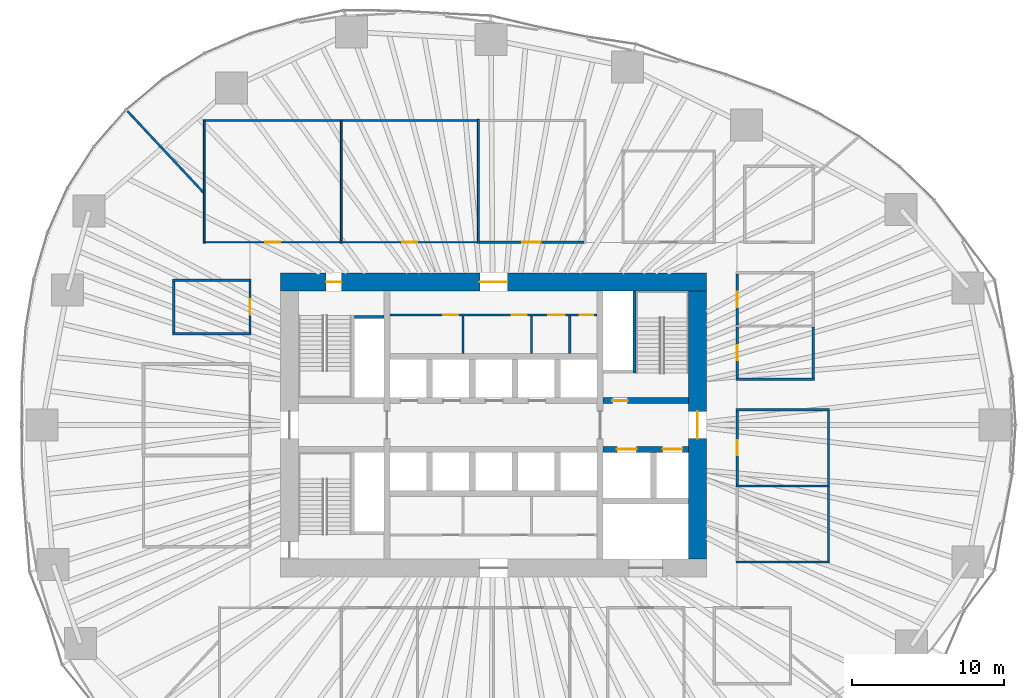
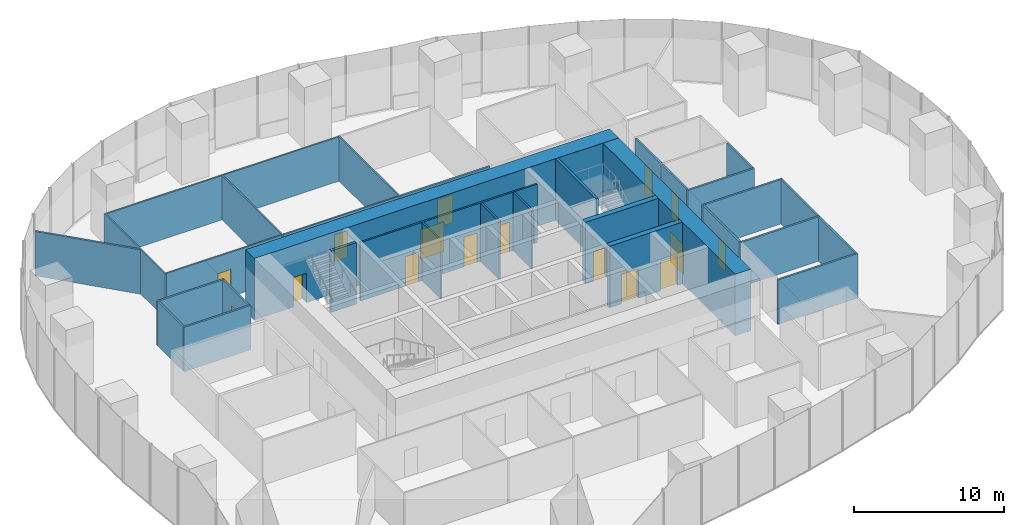
# One storey, part 11 of 20: 33 walls, 17 doors, 17 openings.
"""IFC4 building model written with IfcOpenShell, lengths in metres."""

from ifc_helpers import new_model, si_unit, direction, frame, frame_2d, origin, place, context, subcontext, project, spatial, rectangle, extrude, material, layer, layer_set, type_object, element, fill, save


model = new_model("IFC4")

# Units and contexts
model_context = context("Model", 3, precision=1e-05, world=origin(), true_north=direction((0.0, 1.0)))
body_context = subcontext(model_context, "Body", "Model", "MODEL_VIEW")
ifc_project = project(units=[si_unit("LENGTHUNIT", "METRE"), si_unit("AREAUNIT", "SQUARE_METRE"), si_unit("VOLUMEUNIT", "CUBIC_METRE"), si_unit("PLANEANGLEUNIT", "RADIAN"), si_unit("MASSUNIT", "GRAM", prefix="KILO")], contexts=[model_context])

# Site, building, storey
site_placement = place(None, origin())
site = spatial("IfcSite", under=ifc_project, at=site_placement, CompositionType="ELEMENT")
building_placement = place(site_placement, origin())
building = spatial("IfcBuilding", under=site, at=building_placement, Name="Ghaith Harvest Tower", CompositionType="ELEMENT")
storey_placement = place(building_placement, frame((0.0, 0.0, 25.0)))
storey = spatial("IfcBuildingStorey", under=building, at=storey_placement, Name="L05", CompositionType="ELEMENT", Elevation=25.0)

# Wall, openings, doors
ifc_material_1 = material(Name="Concrete blockwork, fair-faced", Category="masonry")
ifc_layer_1 = layer(ifc_material_1, 0.139892578125)
ifc_layer_set_1 = layer_set([ifc_layer_1], Name="CORE PARTITION 140")
wall_type_1 = type_object("IfcWallType", Name="CORE PARTITION 140", PredefinedType="PARTITIONING", material=ifc_layer_set_1)
wall_1_placement = place(storey_placement, frame((-6.800048828125, 7.22998046875, 0.0), z_axis=(0.0, 0.0, 1.0), x_axis=(1.0, 0.0, 0.0)))
wall_1 = element("IfcWall", 1, at=wall_1_placement, inside=storey, type_object=wall_type_1, Name="Core partition L05", PredefinedType="PARTITIONING", context=body_context, shape_type="SweptSolid", body=[
    extrude(rectangle(XDim=13.60009765625, YDim=0.139892578125, at=frame_2d((6.800048828125, 0.0))), origin(), (0.0, 0.0, 1.0), 4.75),
])
opening_1_placement = place(wall_1_placement, frame((3.47998046875, 0.0, 0.0)))
opening_1 = element("IfcOpeningElement", 2, at=opening_1_placement, cuts=wall_1, Name="Opening 05-008", PredefinedType="OPENING", context=body_context, shape_type="SweptSolid", body=[
    extrude(rectangle(XDim=1.0, YDim=2.39990234375, at=frame_2d((0.5, 1.199951171875))), frame((0.0, 0.080078125, 0.0), z_axis=(0.0, -1.0, 0.0), x_axis=(1.0, 0.0, 0.0)), (0.0, 0.0, 1.0), 0.159912109375),
])
opening_2_placement = place(wall_1_placement, frame((7.97998046875, 0.0, 0.0)))
opening_2 = element("IfcOpeningElement", 3, at=opening_2_placement, cuts=wall_1, Name="Opening 05-009", PredefinedType="OPENING", context=body_context, shape_type="SweptSolid", body=[
    extrude(rectangle(XDim=1.0, YDim=2.39990234375, at=frame_2d((0.5, 1.199951171875))), frame((0.0, 0.080078125, 0.0), z_axis=(0.0, -1.0, 0.0), x_axis=(1.0, 0.0, 0.0)), (0.0, 0.0, 1.0), 0.159912109375),
])
opening_3_placement = place(wall_1_placement, frame((10.3798828125, 0.0, 0.0)))
opening_3 = element("IfcOpeningElement", 4, at=opening_3_placement, cuts=wall_1, Name="Opening 05-010", PredefinedType="OPENING", context=body_context, shape_type="SweptSolid", body=[
    extrude(rectangle(XDim=1.10009765625, YDim=2.39990234375, at=frame_2d((0.550048828125, 1.199951171875))), frame((0.0, 0.080078125, 0.0), z_axis=(0.0, -1.0, 0.0), x_axis=(1.0, 0.0, 0.0)), (0.0, 0.0, 1.0), 0.159912109375),
])
opening_4_placement = place(wall_1_placement, frame((12.449951171875, 0.0, 0.0)))
opening_4 = element("IfcOpeningElement", 5, at=opening_4_placement, cuts=wall_1, Name="Opening 05-011", PredefinedType="OPENING", context=body_context, shape_type="SweptSolid", body=[
    extrude(rectangle(XDim=0.89990234375, YDim=2.39990234375, at=frame_2d((0.449951171875, 1.199951171875))), frame((0.0, 0.080078125, 0.0), z_axis=(0.0, -1.0, 0.0), x_axis=(1.0, 0.0, 0.0)), (0.0, 0.0, 1.0), 0.159912109375),
])
ifc_material_2 = material(Name="Steel fire door", Category="steel")
door_type_1 = type_object("IfcDoorType", Name="D3 FD90 1000x2400", OperationType="SINGLE_SWING_LEFT", PredefinedType="DOOR", material=ifc_material_2)
door_1_placement = place(opening_1_placement, origin())
door_1 = element("IfcDoor", 6, at=door_1_placement, inside=storey, type_object=door_type_1, Name="Male WC door", OperationType="SINGLE_SWING_LEFT", OverallHeight=2.39990234375, OverallWidth=1.0, PredefinedType="DOOR", context=body_context, shape_type="SweptSolid", body=[
    extrude(rectangle(XDim=1.0, YDim=2.39990234375, at=frame_2d((0.5, 1.199951171875))), frame((0.0, 0.02490234375, 0.0), z_axis=(0.0, -1.0, 0.0), x_axis=(1.0, 0.0, 0.0)), (0.0, 0.0, 1.0), 0.050048828125),
])
fill(opening_1, door_1)
door_2_placement = place(opening_2_placement, origin())
door_2 = element("IfcDoor", 7, at=door_2_placement, inside=storey, type_object=door_type_1, Name="Female WC door", OperationType="SINGLE_SWING_RIGHT", OverallHeight=2.39990234375, OverallWidth=1.0, PredefinedType="DOOR", context=body_context, shape_type="SweptSolid", body=[
    extrude(rectangle(XDim=1.0, YDim=2.39990234375, at=frame_2d((0.5, 1.199951171875))), frame((0.0, 0.02490234375, 0.0), z_axis=(0.0, -1.0, 0.0), x_axis=(1.0, 0.0, 0.0)), (0.0, 0.0, 1.0), 0.050048828125),
])
fill(opening_2, door_2)
ifc_material_3 = material(Name="Steel fire door", Category="steel")
door_type_2 = type_object("IfcDoorType", Name="D5 FD90 900x2400", OperationType="SINGLE_SWING_LEFT", PredefinedType="DOOR", material=ifc_material_3)
door_3_placement = place(opening_4_placement, origin())
door_3 = element("IfcDoor", 8, at=door_3_placement, inside=storey, type_object=door_type_2, Name="Cleaner's store door", OperationType="SINGLE_SWING_RIGHT", OverallHeight=2.39990234375, OverallWidth=0.89990234375, PredefinedType="DOOR", context=body_context, shape_type="SweptSolid", body=[
    extrude(rectangle(XDim=0.89990234375, YDim=2.39990234375, at=frame_2d((0.449951171875, 1.199951171875))), frame((0.0, 0.02490234375, 0.0), z_axis=(0.0, -1.0, 0.0), x_axis=(1.0, 0.0, 0.0)), (0.0, 0.0, 1.0), 0.050048828125),
])
fill(opening_4, door_3)
ifc_material_4 = material(Name="Steel fire door", Category="steel")
door_type_3 = type_object("IfcDoorType", Name="D9 FD90 1100x2400", OperationType="SINGLE_SWING_LEFT", PredefinedType="DOOR", material=ifc_material_4)
door_4_placement = place(opening_3_placement, origin())
door_4 = element("IfcDoor", 9, at=door_4_placement, inside=storey, type_object=door_type_3, Name="Accessible WC door", OperationType="SINGLE_SWING_RIGHT", OverallHeight=2.39990234375, OverallWidth=1.10009765625, PredefinedType="DOOR", context=body_context, shape_type="SweptSolid", body=[
    extrude(rectangle(XDim=1.10009765625, YDim=2.39990234375, at=frame_2d((0.550048828125, 1.199951171875))), frame((0.0, 0.02490234375, 0.0), z_axis=(0.0, -1.0, 0.0), x_axis=(1.0, 0.0, 0.0)), (0.0, 0.0, 1.0), 0.050048828125),
])
fill(opening_3, door_4)

# Walls
for number, where, z_axis, x_axis, name in (
    (10, (-2.0, 4.699951171875, 0.0), (0.0, 0.0, 1.0), (0.0, 1.0, 0.0), "Core partition L05"),
    (11, (2.5, 4.699951171875, 0.0), (0.0, 0.0, 1.0), (0.0, 1.0, 0.0), "Core partition L05"),
    (12, (5.0, 4.699951171875, 0.0), (0.0, 0.0, 1.0), (0.0, 1.0, 0.0), "Core partition L05"),
):
    element("IfcWall", number, at=place(storey_placement, frame(where, z_axis=z_axis, x_axis=x_axis)), inside=storey, type_object=wall_type_1, Name=name, PredefinedType="PARTITIONING", context=body_context, shape_type="SweptSolid", body=[
        extrude(rectangle(XDim=2.4599609375, YDim=0.139892578125, at=frame_2d((1.22998046875, 0.0))), origin(), (0.0, 0.0, 1.0), 4.75),
    ])

# Wall, openings, doors
ifc_material_5 = material(Name="Concrete C70/85", Category="concrete")
ifc_layer_2 = layer(ifc_material_5, 1.199951171875)
ifc_layer_set_2 = layer_set([ifc_layer_2], Name="CORE WALL CW1200")
wall_type_2 = type_object("IfcWallType", Name="CORE WALL CW1200", PredefinedType="SHEAR", material=ifc_layer_set_2)
wall_2_placement = place(storey_placement, frame((14.0, 9.39990234375, 0.0), z_axis=(0.0, 0.0, 1.0), x_axis=(-1.0, 0.0, 0.0)))
wall_2 = element("IfcWall", 13, at=wall_2_placement, inside=storey, type_object=wall_type_2, Name="Core wall N L05", PredefinedType="SHEAR", context=body_context, shape_type="SweptSolid", body=[
    extrude(rectangle(XDim=28.0, YDim=1.199951171875, at=frame_2d((14.0, 0.0))), origin(), (0.0, 0.0, 1.0), 5.0),
])
opening_5_placement = place(wall_2_placement, frame((24.0, 0.0, 0.0)))
opening_5 = element("IfcOpeningElement", 14, at=opening_5_placement, cuts=wall_2, Name="Opening 05-005", PredefinedType="OPENING", context=body_context, shape_type="SweptSolid", body=[
    extrude(rectangle(XDim=1.0, YDim=2.39990234375, at=frame_2d((0.5, 1.199951171875))), frame((0.0, 0.60986328125, 0.0), z_axis=(0.0, -1.0, 0.0), x_axis=(1.0, 0.0, 0.0)), (0.0, 0.0, 1.0), 1.219970703125),
])
opening_6_placement = place(wall_2_placement, frame((13.10009765625, 0.0, 0.0)))
opening_6 = element("IfcOpeningElement", 15, at=opening_6_placement, cuts=wall_2, Name="Opening 05-015", PredefinedType="OPENING", context=body_context, shape_type="SweptSolid", body=[
    extrude(rectangle(XDim=1.800048828125, YDim=2.39990234375, at=frame_2d((0.89990234375, 1.199951171875))), frame((0.0, 0.60986328125, 0.0), z_axis=(0.0, -1.0, 0.0), x_axis=(1.0, 0.0, 0.0)), (0.0, 0.0, 1.0), 1.219970703125),
])
door_5_placement = place(opening_5_placement, origin())
door_5 = element("IfcDoor", 16, at=door_5_placement, inside=storey, type_object=door_type_1, Name="Stair ST1 door", OperationType="SINGLE_SWING_RIGHT", OverallHeight=2.39990234375, OverallWidth=1.0, PredefinedType="DOOR", context=body_context, shape_type="SweptSolid", body=[
    extrude(rectangle(XDim=1.0, YDim=2.39990234375, at=frame_2d((0.5, 1.199951171875))), frame((0.0, 0.02490234375, 0.0), z_axis=(0.0, -1.0, 0.0), x_axis=(1.0, 0.0, 0.0)), (0.0, 0.0, 1.0), 0.050048828125),
])
fill(opening_5, door_5)
ifc_material_6 = material(Name="Steel fire door", Category="steel")
door_type_4 = type_object("IfcDoorType", Name="D4 FD90 PAIR 1800x2400", OperationType="DOUBLE_DOOR_SINGLE_SWING", PredefinedType="DOOR", material=ifc_material_6)
door_6_placement = place(opening_6_placement, origin())
door_6 = element("IfcDoor", 17, at=door_6_placement, inside=storey, type_object=door_type_4, Name="Core service corridor doors", OperationType="DOUBLE_DOOR_SINGLE_SWING", OverallHeight=2.39990234375, OverallWidth=1.800048828125, PredefinedType="DOOR", context=body_context, shape_type="SweptSolid", body=[
    extrude(rectangle(XDim=1.800048828125, YDim=2.39990234375, at=frame_2d((0.89990234375, 1.199951171875))), frame((0.0, 0.02490234375, 0.0), z_axis=(0.0, -1.0, 0.0), x_axis=(1.0, 0.0, 0.0)), (0.0, 0.0, 1.0), 0.050048828125),
])
fill(opening_6, door_6)

# Wall, opening, door
wall_3_placement = place(storey_placement, frame((13.39990234375, -8.800048828125, 0.0), z_axis=(0.0, 0.0, 1.0), x_axis=(0.0, 1.0, 0.0)))
wall_3 = element("IfcWall", 18, at=wall_3_placement, inside=storey, type_object=wall_type_2, Name="Core wall E L05", PredefinedType="SHEAR", context=body_context, shape_type="SweptSolid", body=[
    extrude(rectangle(XDim=17.60009765625, YDim=1.199951171875, at=frame_2d((8.800048828125, 0.0))), origin(), (0.0, 0.0, 1.0), 5.0),
])
opening_7_placement = place(wall_3_placement, frame((7.89990234375, 0.0, 0.0)))
opening_7 = element("IfcOpeningElement", 19, at=opening_7_placement, cuts=wall_3, Name="Opening 05-002", PredefinedType="OPENING", context=body_context, shape_type="SweptSolid", body=[
    extrude(rectangle(XDim=1.800048828125, YDim=2.39990234375, at=frame_2d((0.89990234375, 1.199951171875))), frame((0.0, 0.60986328125, 0.0), z_axis=(0.0, -1.0, 0.0), x_axis=(1.0, 0.0, 0.0)), (0.0, 0.0, 1.0), 1.219970703125),
])
door_7_placement = place(opening_7_placement, origin())
door_7 = element("IfcDoor", 20, at=door_7_placement, inside=storey, type_object=door_type_4, Name="Fire-fighting lobby doors", OperationType="DOUBLE_DOOR_SINGLE_SWING", OverallHeight=2.39990234375, OverallWidth=1.800048828125, PredefinedType="DOOR", context=body_context, shape_type="SweptSolid", body=[
    extrude(rectangle(XDim=1.800048828125, YDim=2.39990234375, at=frame_2d((0.89990234375, 1.199951171875))), frame((0.0, 0.02490234375, 0.0), z_axis=(0.0, -1.0, 0.0), x_axis=(1.0, 0.0, 0.0)), (0.0, 0.0, 1.0), 0.050048828125),
])
fill(opening_7, door_7)

# Walls
ifc_material_7 = material(Name="Insulated food-grade panel", Category="steel")
ifc_layer_3 = layer(ifc_material_7, 0.1201171875)
ifc_layer_set_3 = layer_set([ifc_layer_3], Name="INSULATED PANEL WALL 120")
wall_type_3 = type_object("IfcWallType", Name="INSULATED PANEL WALL 120", PredefinedType="PARTITIONING", material=ifc_layer_set_3)
for number, where, z_axis, x_axis, name in (
    (21, (-19.0, 11.93994140625, 0.0), (0.0, 0.0, 1.0), (0.0, 1.0, 0.0), "Partition L05 row N1 cross wall 1"),
    (22, (-10.0, 11.93994140625, 0.0), (0.0, 0.0, 1.0), (0.0, 1.0, 0.0), "Partition L05 row N1 cross wall 2"),
):
    element("IfcWall", number, at=place(storey_placement, frame(where, z_axis=z_axis, x_axis=x_axis)), inside=storey, type_object=wall_type_3, Name=name, PredefinedType="PARTITIONING", context=body_context, shape_type="SweptSolid", body=[
        extrude(rectangle(XDim=8.1201171875, YDim=0.1201171875, at=frame_2d((4.06005859375, 0.0))), origin(), (0.0, 0.0, 1.0), 3.60009765625),
    ])
wall_4_placement = place(storey_placement, frame((-1.0, 11.925048828125, 0.0), z_axis=(0.0, 0.0, 1.0), x_axis=(0.0, 1.0, 0.0)))
element("IfcWall", 23, at=wall_4_placement, inside=storey, type_object=wall_type_3, Name="Partition L05 row N1 cross wall 3", PredefinedType="PARTITIONING", context=body_context, shape_type="SweptSolid", body=[
    extrude(rectangle(XDim=8.14990234375, YDim=0.1201171875, at=frame_2d((4.074951171875, 0.0))), origin(), (0.0, 0.0, 1.0), 3.60009765625),
])

# Wall, opening, door
wall_5_placement = place(storey_placement, frame((-18.93994140625, 12.0, 0.0), z_axis=(0.0, 0.0, 1.0), x_axis=(1.0, 0.0, 0.0)))
wall_5 = element("IfcWall", 24, at=wall_5_placement, inside=storey, type_object=wall_type_3, Name="Partition L05-01", PredefinedType="PARTITIONING", context=body_context, shape_type="SweptSolid", body=[
    extrude(rectangle(XDim=8.8798828125, YDim=0.1201171875, at=frame_2d((4.43994140625, 0.0))), origin(), (0.0, 0.0, 1.0), 3.60009765625),
])
opening_8_placement = place(wall_5_placement, frame((3.93994140625, 0.0, 0.0)))
opening_8 = element("IfcOpeningElement", 25, at=opening_8_placement, cuts=wall_5, Name="Opening 05-024", PredefinedType="OPENING", context=body_context, shape_type="SweptSolid", body=[
    extrude(rectangle(XDim=1.0, YDim=2.199951171875, at=frame_2d((0.5, 1.10009765625))), frame((0.0, 0.070068359375, 0.0), z_axis=(0.0, -1.0, 0.0), x_axis=(1.0, 0.0, 0.0)), (0.0, 0.0, 1.0), 0.14013671875),
])
ifc_material_8 = material(Name="Timber door", Category="wood")
door_type_5 = type_object("IfcDoorType", Name="D1 SINGLE 1000x2200", OperationType="SINGLE_SWING_LEFT", PredefinedType="DOOR", material=ifc_material_8)
door_8_placement = place(opening_8_placement, origin())
door_8 = element("IfcDoor", 26, at=door_8_placement, inside=storey, type_object=door_type_5, Name="Propagation room door", OperationType="SINGLE_SWING_LEFT", OverallHeight=2.199951171875, OverallWidth=1.0, PredefinedType="DOOR", context=body_context, shape_type="SweptSolid", body=[
    extrude(rectangle(XDim=1.0, YDim=2.199951171875, at=frame_2d((0.5, 1.10009765625))), frame((0.0, 0.02490234375, 0.0), z_axis=(0.0, -1.0, 0.0), x_axis=(1.0, 0.0, 0.0)), (0.0, 0.0, 1.0), 0.050048828125),
])
fill(opening_8, door_8)

# Wall
wall_6_placement = place(storey_placement, frame((-18.93994140625, 20.0, 0.0), z_axis=(0.0, 0.0, 1.0), x_axis=(1.0, 0.0, 0.0)))
element("IfcWall", 27, at=wall_6_placement, inside=storey, type_object=wall_type_3, Name="Partition L05-01", PredefinedType="PARTITIONING", context=body_context, shape_type="SweptSolid", body=[
    extrude(rectangle(XDim=8.8798828125, YDim=0.1201171875, at=frame_2d((4.43994140625, 0.0))), origin(), (0.0, 0.0, 1.0), 3.60009765625),
])

# Wall, opening, door
wall_7_placement = place(storey_placement, frame((-9.93994140625, 12.0, 0.0), z_axis=(0.0, 0.0, 1.0), x_axis=(1.0, 0.0, 0.0)))
wall_7 = element("IfcWall", 28, at=wall_7_placement, inside=storey, type_object=wall_type_3, Name="Partition L05-02", PredefinedType="PARTITIONING", context=body_context, shape_type="SweptSolid", body=[
    extrude(rectangle(XDim=8.8798828125, YDim=0.1201171875, at=frame_2d((4.43994140625, 0.0))), origin(), (0.0, 0.0, 1.0), 3.60009765625),
])
opening_9_placement = place(wall_7_placement, frame((3.93994140625, 0.0, 0.0)))
opening_9 = element("IfcOpeningElement", 29, at=opening_9_placement, cuts=wall_7, Name="Opening 05-025", PredefinedType="OPENING", context=body_context, shape_type="SweptSolid", body=[
    extrude(rectangle(XDim=1.0, YDim=2.199951171875, at=frame_2d((0.5, 1.10009765625))), frame((0.0, 0.070068359375, 0.0), z_axis=(0.0, -1.0, 0.0), x_axis=(1.0, 0.0, 0.0)), (0.0, 0.0, 1.0), 0.14013671875),
])
door_9_placement = place(opening_9_placement, origin())
door_9 = element("IfcDoor", 30, at=door_9_placement, inside=storey, type_object=door_type_5, Name="Propagation room door", OperationType="SINGLE_SWING_LEFT", OverallHeight=2.199951171875, OverallWidth=1.0, PredefinedType="DOOR", context=body_context, shape_type="SweptSolid", body=[
    extrude(rectangle(XDim=1.0, YDim=2.199951171875, at=frame_2d((0.5, 1.10009765625))), frame((0.0, 0.02490234375, 0.0), z_axis=(0.0, -1.0, 0.0), x_axis=(1.0, 0.0, 0.0)), (0.0, 0.0, 1.0), 0.050048828125),
])
fill(opening_9, door_9)

# Wall
wall_8_placement = place(storey_placement, frame((-9.93994140625, 20.0, 0.0), z_axis=(0.0, 0.0, 1.0), x_axis=(1.0, 0.0, 0.0)))
element("IfcWall", 31, at=wall_8_placement, inside=storey, type_object=wall_type_3, Name="Partition L05-02", PredefinedType="PARTITIONING", context=body_context, shape_type="SweptSolid", body=[
    extrude(rectangle(XDim=8.8798828125, YDim=0.1201171875, at=frame_2d((4.43994140625, 0.0))), origin(), (0.0, 0.0, 1.0), 3.60009765625),
])

# Wall, opening, door
ifc_material_9 = material(Name="Gypsum board on steel studs", Category="steel")
ifc_layer_4 = layer(ifc_material_9, 0.14990234375)
ifc_layer_set_4 = layer_set([ifc_layer_4], Name="PARTITION 150")
wall_type_4 = type_object("IfcWallType", Name="PARTITION 150", PredefinedType="PARTITIONING", material=ifc_layer_set_4)
wall_9_placement = place(storey_placement, frame((-0.93994140625, 12.0, 0.0), z_axis=(0.0, 0.0, 1.0), x_axis=(1.0, 0.0, 0.0)))
wall_9 = element("IfcWall", 32, at=wall_9_placement, inside=storey, type_object=wall_type_4, Name="Partition L05-03", PredefinedType="PARTITIONING", context=body_context, shape_type="SweptSolid", body=[
    extrude(rectangle(XDim=6.864990234375, YDim=0.14990234375, at=frame_2d((3.4326171875, 0.0))), origin(), (0.0, 0.0, 1.0), 3.60009765625),
])
opening_10_placement = place(wall_9_placement, frame((2.83251953125, 0.0, 0.0)))
opening_10 = element("IfcOpeningElement", 33, at=opening_10_placement, cuts=wall_9, Name="Opening 05-026", PredefinedType="OPENING", context=body_context, shape_type="SweptSolid", body=[
    extrude(rectangle(XDim=1.199951171875, YDim=2.300048828125, at=frame_2d((0.60009765625, 1.14990234375))), frame((0.0, 0.0849609375, 0.0), z_axis=(0.0, -1.0, 0.0), x_axis=(1.0, 0.0, 0.0)), (0.0, 0.0, 1.0), 0.169921875),
])
ifc_material_10 = material(Name="Timber door with vision panel", Category="wood")
door_type_6 = type_object("IfcDoorType", Name="D15 LABORATORY 1200x2300", OperationType="SINGLE_SWING_LEFT", PredefinedType="DOOR", material=ifc_material_10)
door_10_placement = place(opening_10_placement, origin())
door_10 = element("IfcDoor", 34, at=door_10_placement, inside=storey, type_object=door_type_6, Name="Quality laboratory door", OperationType="SINGLE_SWING_LEFT", OverallHeight=2.300048828125, OverallWidth=1.199951171875, PredefinedType="DOOR", context=body_context, shape_type="SweptSolid", body=[
    extrude(rectangle(XDim=1.199951171875, YDim=2.300048828125, at=frame_2d((0.60009765625, 1.14990234375))), frame((0.0, 0.02490234375, 0.0), z_axis=(0.0, -1.0, 0.0), x_axis=(1.0, 0.0, 0.0)), (0.0, 0.0, 1.0), 0.050048828125),
])
fill(opening_10, door_10)

# Walls
for number, where, z_axis, x_axis, name in (
    (35, (15.925048828125, -9.0, 0.0), (0.0, 0.0, 1.0), (1.0, 0.0, 0.0), "Partition L05 row E5 cross wall 1"),
    (36, (15.925048828125, -4.0, 0.0), (0.0, 0.0, 1.0), (1.0, 0.0, 0.0), "Partition L05 row E5 cross wall 2"),
    (37, (15.925048828125, 1.0, 0.0), (0.0, 0.0, 1.0), (1.0, 0.0, 0.0), "Partition L05 row E5 cross wall 3"),
):
    element("IfcWall", number, at=place(storey_placement, frame(where, z_axis=z_axis, x_axis=x_axis)), inside=storey, type_object=wall_type_4, Name=name, PredefinedType="PARTITIONING", context=body_context, shape_type="SweptSolid", body=[
        extrude(rectangle(XDim=6.14990234375, YDim=0.14990234375, at=frame_2d((3.074951171875, 0.0))), origin(), (0.0, 0.0, 1.0), 3.60009765625),
    ])
wall_10_placement = place(storey_placement, frame((22.0, -8.925048828125, 0.0), z_axis=(0.0, 0.0, 1.0), x_axis=(0.0, 1.0, 0.0)))
element("IfcWall", 38, at=wall_10_placement, inside=storey, type_object=wall_type_4, Name="Partition L05-10", PredefinedType="PARTITIONING", context=body_context, shape_type="SweptSolid", body=[
    extrude(rectangle(XDim=4.85009765625, YDim=0.14990234375, at=frame_2d((2.425048828125, 0.0))), origin(), (0.0, 0.0, 1.0), 3.60009765625),
])

# Wall, opening, door
wall_11_placement = place(storey_placement, frame((16.0, -3.925048828125, 0.0), z_axis=(0.0, 0.0, 1.0), x_axis=(0.0, 1.0, 0.0)))
wall_11 = element("IfcWall", 39, at=wall_11_placement, inside=storey, type_object=wall_type_4, Name="Partition L05-11", PredefinedType="PARTITIONING", context=body_context, shape_type="SweptSolid", body=[
    extrude(rectangle(XDim=4.85009765625, YDim=0.14990234375, at=frame_2d((2.425048828125, 0.0))), origin(), (0.0, 0.0, 1.0), 3.60009765625),
])
opening_11_placement = place(wall_11_placement, frame((1.925048828125, 0.0, 0.0)))
opening_11 = element("IfcOpeningElement", 40, at=opening_11_placement, cuts=wall_11, Name="Opening 05-034", PredefinedType="OPENING", context=body_context, shape_type="SweptSolid", body=[
    extrude(rectangle(XDim=1.0, YDim=2.199951171875, at=frame_2d((0.5, 1.10009765625))), frame((0.0, 0.0849609375, 0.0), z_axis=(0.0, -1.0, 0.0), x_axis=(1.0, 0.0, 0.0)), (0.0, 0.0, 1.0), 0.169921875),
])
door_11_placement = place(opening_11_placement, origin())
door_11 = element("IfcDoor", 41, at=door_11_placement, inside=storey, type_object=door_type_5, Name="Female staff changing room door", OperationType="SINGLE_SWING_LEFT", OverallHeight=2.199951171875, OverallWidth=1.0, PredefinedType="DOOR", context=body_context, shape_type="SweptSolid", body=[
    extrude(rectangle(XDim=1.0, YDim=2.199951171875, at=frame_2d((0.5, 1.10009765625))), frame((0.0, 0.02490234375, 0.0), z_axis=(0.0, -1.0, 0.0), x_axis=(1.0, 0.0, 0.0)), (0.0, 0.0, 1.0), 0.050048828125),
])
fill(opening_11, door_11)

# Walls
wall_12_placement = place(storey_placement, frame((22.0, -3.925048828125, 0.0), z_axis=(0.0, 0.0, 1.0), x_axis=(0.0, 1.0, 0.0)))
element("IfcWall", 42, at=wall_12_placement, inside=storey, type_object=wall_type_4, Name="Partition L05-11", PredefinedType="PARTITIONING", context=body_context, shape_type="SweptSolid", body=[
    extrude(rectangle(XDim=4.85009765625, YDim=0.14990234375, at=frame_2d((2.425048828125, 0.0))), origin(), (0.0, 0.0, 1.0), 3.60009765625),
])
wall_13_placement = place(storey_placement, frame((15.925048828125, 3.0, 0.0), z_axis=(0.0, 0.0, 1.0), x_axis=(1.0, 0.0, 0.0)))
element("IfcWall", 43, at=wall_13_placement, inside=storey, type_object=wall_type_4, Name="Partition L05 row E9 cross wall 1", PredefinedType="PARTITIONING", context=body_context, shape_type="SweptSolid", body=[
    extrude(rectangle(XDim=5.14990234375, YDim=0.14990234375, at=frame_2d((2.574951171875, 0.0))), origin(), (0.0, 0.0, 1.0), 3.60009765625),
])

# Wall, opening, door
wall_14_placement = place(storey_placement, frame((16.0, 3.074951171875, 0.0), z_axis=(0.0, 0.0, 1.0), x_axis=(0.0, 1.0, 0.0)))
wall_14 = element("IfcWall", 44, at=wall_14_placement, inside=storey, type_object=wall_type_4, Name="Partition L05-16", PredefinedType="PARTITIONING", context=body_context, shape_type="SweptSolid", body=[
    extrude(rectangle(XDim=3.35009765625, YDim=0.14990234375, at=frame_2d((1.675048828125, 0.0))), origin(), (0.0, 0.0, 1.0), 3.60009765625),
])
opening_12_placement = place(wall_14_placement, frame((1.175048828125, 0.0, 0.0)))
opening_12 = element("IfcOpeningElement", 45, at=opening_12_placement, cuts=wall_14, Name="Opening 05-039", PredefinedType="OPENING", context=body_context, shape_type="SweptSolid", body=[
    extrude(rectangle(XDim=1.0, YDim=2.199951171875, at=frame_2d((0.5, 1.10009765625))), frame((0.0, 0.0849609375, 0.0), z_axis=(0.0, -1.0, 0.0), x_axis=(1.0, 0.0, 0.0)), (0.0, 0.0, 1.0), 0.169921875),
])
door_12_placement = place(opening_12_placement, origin())
door_12 = element("IfcDoor", 46, at=door_12_placement, inside=storey, type_object=door_type_5, Name="First aid room door", OperationType="SINGLE_SWING_LEFT", OverallHeight=2.199951171875, OverallWidth=1.0, PredefinedType="DOOR", context=body_context, shape_type="SweptSolid", body=[
    extrude(rectangle(XDim=1.0, YDim=2.199951171875, at=frame_2d((0.5, 1.10009765625))), frame((0.0, 0.02490234375, 0.0), z_axis=(0.0, -1.0, 0.0), x_axis=(1.0, 0.0, 0.0)), (0.0, 0.0, 1.0), 0.050048828125),
])
fill(opening_12, door_12)

# Wall
wall_15_placement = place(storey_placement, frame((21.0, 3.074951171875, 0.0), z_axis=(0.0, 0.0, 1.0), x_axis=(0.0, 1.0, 0.0)))
element("IfcWall", 47, at=wall_15_placement, inside=storey, type_object=wall_type_4, Name="Partition L05-16", PredefinedType="PARTITIONING", context=body_context, shape_type="SweptSolid", body=[
    extrude(rectangle(XDim=3.35009765625, YDim=0.14990234375, at=frame_2d((1.675048828125, 0.0))), origin(), (0.0, 0.0, 1.0), 3.60009765625),
])

# Wall, opening, door
wall_16_placement = place(storey_placement, frame((16.0, 6.574951171875, 0.0), z_axis=(0.0, 0.0, 1.0), x_axis=(0.0, 1.0, 0.0)))
wall_16 = element("IfcWall", 48, at=wall_16_placement, inside=storey, type_object=wall_type_4, Name="Partition L05-17", PredefinedType="PARTITIONING", context=body_context, shape_type="SweptSolid", body=[
    extrude(rectangle(XDim=3.35009765625, YDim=0.14990234375, at=frame_2d((1.675048828125, 0.0))), origin(), (0.0, 0.0, 1.0), 3.60009765625),
])
opening_13_placement = place(wall_16_placement, frame((1.175048828125, 0.0, 0.0)))
opening_13 = element("IfcOpeningElement", 49, at=opening_13_placement, cuts=wall_16, Name="Opening 05-040", PredefinedType="OPENING", context=body_context, shape_type="SweptSolid", body=[
    extrude(rectangle(XDim=1.0, YDim=2.199951171875, at=frame_2d((0.5, 1.10009765625))), frame((0.0, 0.0849609375, 0.0), z_axis=(0.0, -1.0, 0.0), x_axis=(1.0, 0.0, 0.0)), (0.0, 0.0, 1.0), 0.169921875),
])
door_13_placement = place(opening_13_placement, origin())
door_13 = element("IfcDoor", 50, at=door_13_placement, inside=storey, type_object=door_type_5, Name="Locker room door", OperationType="SINGLE_SWING_LEFT", OverallHeight=2.199951171875, OverallWidth=1.0, PredefinedType="DOOR", context=body_context, shape_type="SweptSolid", body=[
    extrude(rectangle(XDim=1.0, YDim=2.199951171875, at=frame_2d((0.5, 1.10009765625))), frame((0.0, 0.02490234375, 0.0), z_axis=(0.0, -1.0, 0.0), x_axis=(1.0, 0.0, 0.0)), (0.0, 0.0, 1.0), 0.050048828125),
])
fill(opening_13, door_13)

# Walls
for number, where, z_axis, x_axis, name in (
    (51, (-15.925048828125, 6.0, 0.0), (0.0, 0.0, 1.0), (-1.0, 0.0, 0.0), "Partition L05 row W10 cross wall 1"),
    (52, (-15.925048828125, 9.5, 0.0), (0.0, 0.0, 1.0), (-1.0, 0.0, 0.0), "Partition L05 row W10 cross wall 2"),
):
    element("IfcWall", number, at=place(storey_placement, frame(where, z_axis=z_axis, x_axis=x_axis)), inside=storey, type_object=wall_type_4, Name=name, PredefinedType="PARTITIONING", context=body_context, shape_type="SweptSolid", body=[
        extrude(rectangle(XDim=5.14990234375, YDim=0.14990234375, at=frame_2d((2.574951171875, 0.0))), origin(), (0.0, 0.0, 1.0), 3.60009765625),
    ])

# Wall, opening, door
wall_17_placement = place(storey_placement, frame((-16.0, 6.074951171875, 0.0), z_axis=(0.0, 0.0, 1.0), x_axis=(0.0, 1.0, 0.0)))
wall_17 = element("IfcWall", 53, at=wall_17_placement, inside=storey, type_object=wall_type_4, Name="Partition L05-18", PredefinedType="PARTITIONING", context=body_context, shape_type="SweptSolid", body=[
    extrude(rectangle(XDim=3.35009765625, YDim=0.14990234375, at=frame_2d((1.675048828125, 0.0))), origin(), (0.0, 0.0, 1.0), 3.60009765625),
])
opening_14_placement = place(wall_17_placement, frame((1.175048828125, 0.0, 0.0)))
opening_14 = element("IfcOpeningElement", 54, at=opening_14_placement, cuts=wall_17, Name="Opening 05-041", PredefinedType="OPENING", context=body_context, shape_type="SweptSolid", body=[
    extrude(rectangle(XDim=1.0, YDim=2.199951171875, at=frame_2d((0.5, 1.10009765625))), frame((0.0, 0.0849609375, 0.0), z_axis=(0.0, -1.0, 0.0), x_axis=(1.0, 0.0, 0.0)), (0.0, 0.0, 1.0), 0.169921875),
])
door_14_placement = place(opening_14_placement, origin())
door_14 = element("IfcDoor", 55, at=door_14_placement, inside=storey, type_object=door_type_5, Name="Seed drying room door", OperationType="SINGLE_SWING_LEFT", OverallHeight=2.199951171875, OverallWidth=1.0, PredefinedType="DOOR", context=body_context, shape_type="SweptSolid", body=[
    extrude(rectangle(XDim=1.0, YDim=2.199951171875, at=frame_2d((0.5, 1.10009765625))), frame((0.0, 0.02490234375, 0.0), z_axis=(0.0, -1.0, 0.0), x_axis=(1.0, 0.0, 0.0)), (0.0, 0.0, 1.0), 0.050048828125),
])
fill(opening_14, door_14)

# Walls
wall_18_placement = place(storey_placement, frame((-21.0, 6.074951171875, 0.0), z_axis=(0.0, 0.0, 1.0), x_axis=(0.0, 1.0, 0.0)))
element("IfcWall", 56, at=wall_18_placement, inside=storey, type_object=wall_type_4, Name="Partition L05-18", PredefinedType="PARTITIONING", context=body_context, shape_type="SweptSolid", body=[
    extrude(rectangle(XDim=3.35009765625, YDim=0.14990234375, at=frame_2d((1.675048828125, 0.0))), origin(), (0.0, 0.0, 1.0), 3.60009765625),
])
wall_19_placement = place(storey_placement, frame((-19.02001953125, 15.23388671875, 0.0), z_axis=(0.0, 0.0, 1.0), x_axis=(-0.682519491562, 0.730867391281, 0.0)))
element("IfcWall", 57, at=wall_19_placement, inside=storey, type_object=wall_type_4, Name="Partition L05 zone division", PredefinedType="PARTITIONING", context=body_context, shape_type="SweptSolid", body=[
    extrude(rectangle(XDim=7.34716796875, YDim=0.14990234375, at=frame_2d((3.673583984375, 0.0))), origin(), (0.0, 0.0, 1.0), 3.60009765625),
])

# Wall, opening, door
ifc_material_11 = material(Name="Concrete C70/85", Category="concrete")
ifc_layer_5 = layer(ifc_material_11, 0.39990234375)
ifc_layer_set_5 = layer_set([ifc_layer_5], Name="SHAFT WALL 400")
wall_type_5 = type_object("IfcWallType", Name="SHAFT WALL 400", PredefinedType="SHEAR", material=ifc_layer_set_5)
wall_20_placement = place(storey_placement, frame((7.199951171875, 1.60009765625, 0.0), z_axis=(0.0, 0.0, 1.0), x_axis=(1.0, 0.0, 0.0)))
wall_20 = element("IfcWall", 58, at=wall_20_placement, inside=storey, type_object=wall_type_5, Name="Shaft wall EN L05", PredefinedType="SHEAR", context=body_context, shape_type="SweptSolid", body=[
    extrude(rectangle(XDim=5.60009765625, YDim=0.39990234375, at=frame_2d((2.800048828125, 0.0))), origin(), (0.0, 0.0, 1.0), 5.0),
])
opening_15_placement = place(wall_20_placement, frame((0.60009765625, 0.0, 0.0)))
opening_15 = element("IfcOpeningElement", 59, at=opening_15_placement, cuts=wall_20, Name="Opening 05-007", PredefinedType="OPENING", context=body_context, shape_type="SweptSolid", body=[
    extrude(rectangle(XDim=1.0, YDim=2.39990234375, at=frame_2d((0.5, 1.199951171875))), frame((0.0, 0.2099609375, 0.0), z_axis=(0.0, -1.0, 0.0), x_axis=(1.0, 0.0, 0.0)), (0.0, 0.0, 1.0), 0.419921875),
])
door_15_placement = place(opening_15_placement, origin())
door_15 = element("IfcDoor", 60, at=door_15_placement, inside=storey, type_object=door_type_1, Name="Stair ST2 door", OperationType="SINGLE_SWING_LEFT", OverallHeight=2.39990234375, OverallWidth=1.0, PredefinedType="DOOR", context=body_context, shape_type="SweptSolid", body=[
    extrude(rectangle(XDim=1.0, YDim=2.39990234375, at=frame_2d((0.5, 1.199951171875))), frame((0.0, 0.02490234375, 0.0), z_axis=(0.0, -1.0, 0.0), x_axis=(1.0, 0.0, 0.0)), (0.0, 0.0, 1.0), 0.050048828125),
])
fill(opening_15, door_15)

# Wall, openings, doors
wall_21_placement = place(storey_placement, frame((7.199951171875, -1.60009765625, 0.0), z_axis=(0.0, 0.0, 1.0), x_axis=(1.0, 0.0, 0.0)))
wall_21 = element("IfcWall", 61, at=wall_21_placement, inside=storey, type_object=wall_type_5, Name="Shaft wall ES L05", PredefinedType="SHEAR", context=body_context, shape_type="SweptSolid", body=[
    extrude(rectangle(XDim=5.60009765625, YDim=0.39990234375, at=frame_2d((2.800048828125, 0.0))), origin(), (0.0, 0.0, 1.0), 5.0),
])
opening_16_placement = place(wall_21_placement, frame((0.89990234375, 0.0, 0.0)))
opening_16 = element("IfcOpeningElement", 62, at=opening_16_placement, cuts=wall_21, Name="Opening 05-021", PredefinedType="OPENING", context=body_context, shape_type="SweptSolid", body=[
    extrude(rectangle(XDim=1.300048828125, YDim=2.39990234375, at=frame_2d((0.64990234375, 1.199951171875))), frame((0.0, 0.2099609375, 0.0), z_axis=(0.0, -1.0, 0.0), x_axis=(1.0, 0.0, 0.0)), (0.0, 0.0, 1.0), 0.419921875),
])
opening_17_placement = place(wall_21_placement, frame((3.89990234375, 0.0, 0.0)))
opening_17 = element("IfcOpeningElement", 63, at=opening_17_placement, cuts=wall_21, Name="Opening 05-022", PredefinedType="OPENING", context=body_context, shape_type="SweptSolid", body=[
    extrude(rectangle(XDim=1.300048828125, YDim=2.39990234375, at=frame_2d((0.64990234375, 1.199951171875))), frame((0.0, 0.2099609375, 0.0), z_axis=(0.0, -1.0, 0.0), x_axis=(1.0, 0.0, 0.0)), (0.0, 0.0, 1.0), 0.419921875),
])
ifc_material_12 = material(Name="Steel fire door", Category="steel")
door_type_7 = type_object("IfcDoorType", Name="LD2 LANDING 1300x2400", OperationType="DOUBLE_DOOR_SLIDING", PredefinedType="DOOR", material=ifc_material_12)
door_16_placement = place(opening_16_placement, origin())
door_16 = element("IfcDoor", 64, at=door_16_placement, inside=storey, type_object=door_type_7, Name="Landing door, fire service lift FL1", OperationType="DOUBLE_DOOR_SLIDING", OverallHeight=2.39990234375, OverallWidth=1.300048828125, PredefinedType="DOOR", context=body_context, shape_type="SweptSolid", body=[
    extrude(rectangle(XDim=1.300048828125, YDim=2.39990234375, at=frame_2d((0.64990234375, 1.199951171875))), frame((0.0, 0.02490234375, 0.0), z_axis=(0.0, -1.0, 0.0), x_axis=(1.0, 0.0, 0.0)), (0.0, 0.0, 1.0), 0.050048828125),
])
fill(opening_16, door_16)
door_17_placement = place(opening_17_placement, origin())
door_17 = element("IfcDoor", 65, at=door_17_placement, inside=storey, type_object=door_type_7, Name="Landing door, fire service lift FL2", OperationType="DOUBLE_DOOR_SLIDING", OverallHeight=2.39990234375, OverallWidth=1.300048828125, PredefinedType="DOOR", context=body_context, shape_type="SweptSolid", body=[
    extrude(rectangle(XDim=1.300048828125, YDim=2.39990234375, at=frame_2d((0.64990234375, 1.199951171875))), frame((0.0, 0.02490234375, 0.0), z_axis=(0.0, -1.0, 0.0), x_axis=(1.0, 0.0, 0.0)), (0.0, 0.0, 1.0), 0.050048828125),
])
fill(opening_17, door_17)

# Walls
ifc_material_13 = material(Name="Concrete C40/50", Category="concrete")
ifc_layer_6 = layer(ifc_material_13, 0.199951171875)
ifc_layer_set_6 = layer_set([ifc_layer_6], Name="STAIR SPINE WALL RC200")
wall_type_6 = type_object("IfcWallType", Name="STAIR SPINE WALL RC200", PredefinedType="SOLIDWALL", material=ifc_layer_set_6)
wall_22_placement = place(storey_placement, frame((-9.14990234375, 7.10009765625, 0.0), z_axis=(0.0, 0.0, 1.0), x_axis=(1.0, 0.0, 0.0)))
element("IfcWall", 66, at=wall_22_placement, inside=storey, type_object=wall_type_6, Name="Stair ST1 spine wall return L05", PredefinedType="SOLIDWALL", context=body_context, shape_type="SweptSolid", body=[
    extrude(rectangle(XDim=1.949951171875, YDim=0.199951171875, at=frame_2d((0.97509765625, 0.0))), origin(), (0.0, 0.0, 1.0), 5.0),
])
wall_23_placement = place(storey_placement, frame((9.25, 3.39990234375, 0.0), z_axis=(0.0, 0.0, 1.0), x_axis=(0.0, 1.0, 0.0)))
element("IfcWall", 67, at=wall_23_placement, inside=storey, type_object=wall_type_6, Name="Stair ST2 spine wall L05", PredefinedType="SOLIDWALL", context=body_context, shape_type="SweptSolid", body=[
    extrude(rectangle(XDim=5.400146484375, YDim=0.199951171875, at=frame_2d((2.7001953125, 0.0))), origin(), (0.0, 0.0, 1.0), 5.0),
])

save(model, "model.ifc")
